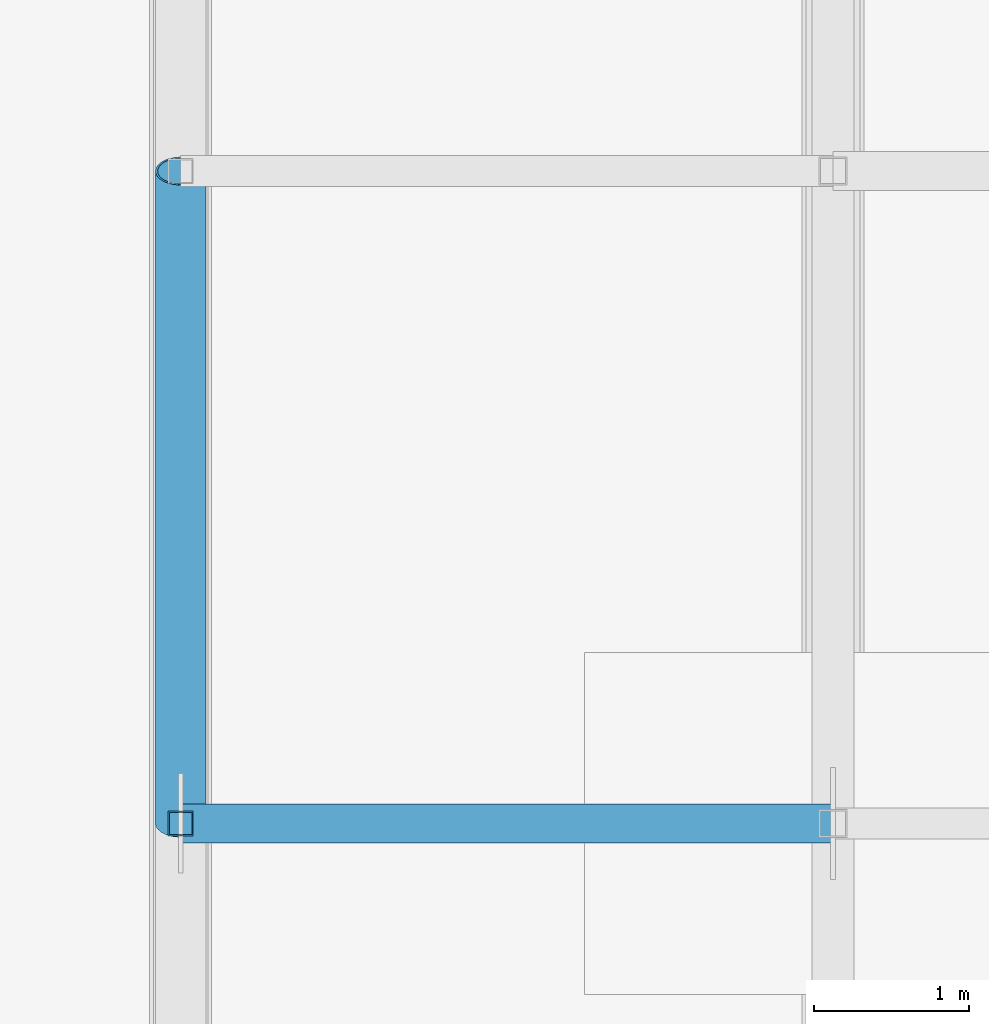
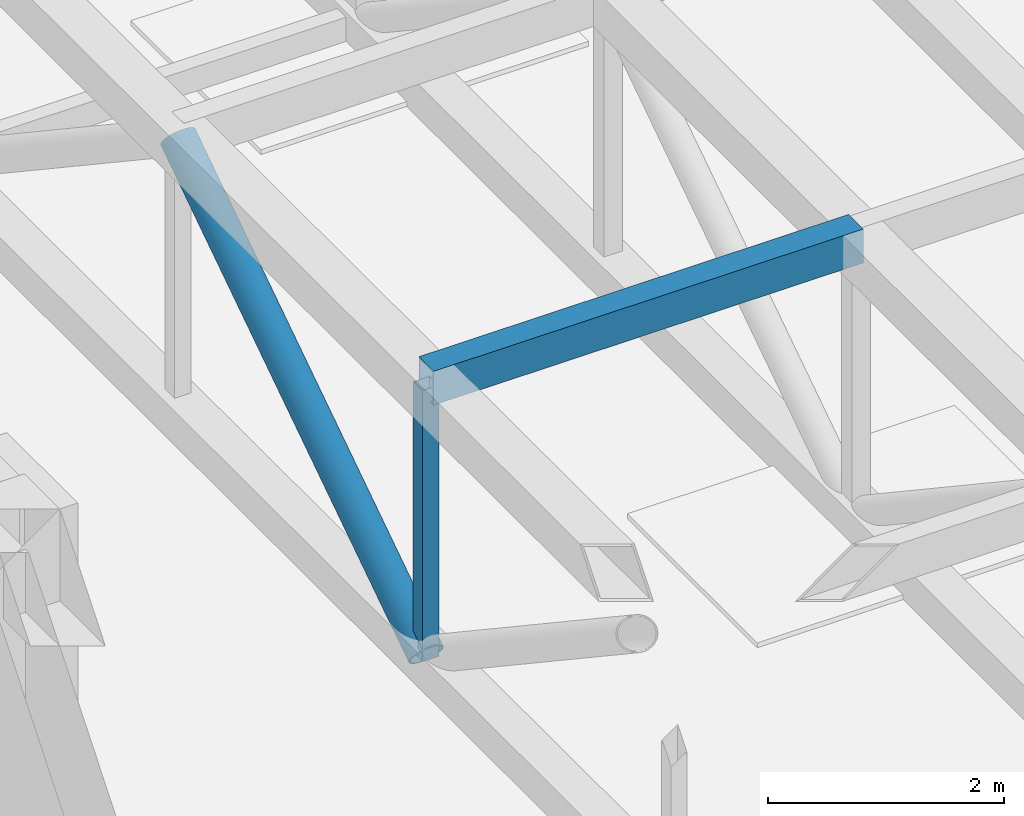
# One storey, part 13 of 47: 3 members.
"""IFC4 building model written with IfcOpenShell, lengths in metres."""

from ifc_helpers import new_model, si_unit, direction, frame, origin, origin_2d, place, context, subcontext, project, spatial, hollow_rectangle, hollow_circle, extrude, material, material_profile, profile_set, type_object, element, save


model = new_model("IFC4")

# Units and contexts
model_context = context("Model", 3, precision=1e-05, world=origin(), true_north=direction((0.0, 1.0)))
body_context = subcontext(model_context, "Body", "Model", "MODEL_VIEW")
ifc_project = project(units=[si_unit("LENGTHUNIT", "METRE"), si_unit("AREAUNIT", "SQUARE_METRE"), si_unit("VOLUMEUNIT", "CUBIC_METRE"), si_unit("PLANEANGLEUNIT", "RADIAN"), si_unit("MASSUNIT", "GRAM", prefix="KILO")], contexts=[model_context])

# Site, building, storey
site_placement = place(None, origin())
site = spatial("IfcSite", under=ifc_project, at=site_placement, CompositionType="ELEMENT")
building_placement = place(site_placement, origin())
building = spatial("IfcBuilding", under=site, at=building_placement, Name="Xuanlan Plaza Opera House", CompositionType="ELEMENT")
storey_placement = place(building_placement, frame((0.0, 0.0, 23.39990234375)))
storey = spatial("IfcBuildingStorey", under=building, at=storey_placement, Name="L05", CompositionType="ELEMENT", Elevation=23.39990234375)

# Members
ifc_material = material(Name="Steel Q355B", Category="steel")
ifc_material_profile_1 = material_profile(ifc_material, hollow_circle(Radius=0.161865234375, WallThickness=0.013916015625, at=origin_2d()), Name="CHS 323.9x14")
ifc_profile_set_1 = profile_set([ifc_material_profile_1], Name="Steel Q355B")
member_type_1 = type_object("IfcMemberType", Name="STR-MEM-BR-03", PredefinedType="BRACE", material=ifc_profile_set_1)
member_1_placement = place(storey_placement, frame((71.39990234375, 58.800048828125, 1.259033203125), z_axis=(0.0, 0.832042853317, 0.554711357594), x_axis=(-1.0, 0.0, 0.0)))
element("IfcMember", 1, at=member_1_placement, inside=storey, type_object=member_type_1, Name="Auditorium Roof Truss AUD-01 Web Diagonal 5", PredefinedType="BRACE", context=body_context, shape_type="SweptSolid", body=[
    extrude(hollow_circle(Radius=0.161865234375, WallThickness=0.013916015625, at=origin_2d()), origin(), (0.0, 0.0, 1.0), 5.0478515625),
])
ifc_material_profile_2 = material_profile(ifc_material, hollow_rectangle(XDim=0.25, YDim=0.35009765625, WallThickness=0.011962890625, at=origin_2d()), Name="RHS 350x250x12")
ifc_profile_set_2 = profile_set([ifc_material_profile_2], Name="Steel Q355B")
member_type_2 = type_object("IfcMemberType", Name="STR-MEM-PR-03", PredefinedType="PURLIN", material=ifc_profile_set_2)
member_2_placement = place(storey_placement, frame((71.39990234375, 58.800048828125, 4.083984375), z_axis=(1.0, 0.0, 0.0), x_axis=(0.0, 1.0, 0.0)))
element("IfcMember", 2, at=member_2_placement, inside=storey, type_object=member_type_2, Name="Auditorium Shell Roof Purlin 1-5", PredefinedType="PURLIN", context=body_context, shape_type="SweptSolid", body=[
    extrude(hollow_rectangle(XDim=0.25, YDim=0.35009765625, WallThickness=0.011962890625, at=origin_2d()), origin(), (0.0, 0.0, 1.0), 4.2001953125),
])
ifc_material_profile_3 = material_profile(ifc_material, hollow_rectangle(XDim=0.159912109375, YDim=0.159912109375, WallThickness=0.008056640625, at=origin_2d()), Name="SHS 160x160x8")
ifc_profile_set_3 = profile_set([ifc_material_profile_3], Name="Steel Q355B")
member_type_3 = type_object("IfcMemberType", Name="STR-MEM-ST-M3", PredefinedType="STRUT", material=ifc_profile_set_3)
member_3_placement = place(storey_placement, frame((71.39990234375, 58.800048828125, 1.259033203125), z_axis=(0.0, 0.0, 1.0), x_axis=(1.0, 0.0, 0.0)))
element("IfcMember", 3, at=member_3_placement, inside=storey, type_object=member_type_3, Name="Auditorium Roof Truss AUD-01 Vertical Strut 4", PredefinedType="STRUT", context=body_context, shape_type="SweptSolid", body=[
    extrude(hollow_rectangle(XDim=0.159912109375, YDim=0.159912109375, WallThickness=0.008056640625, at=origin_2d()), origin(), (0.0, 0.0, 1.0), 2.800048828125),
])

save(model, "model.ifc")
